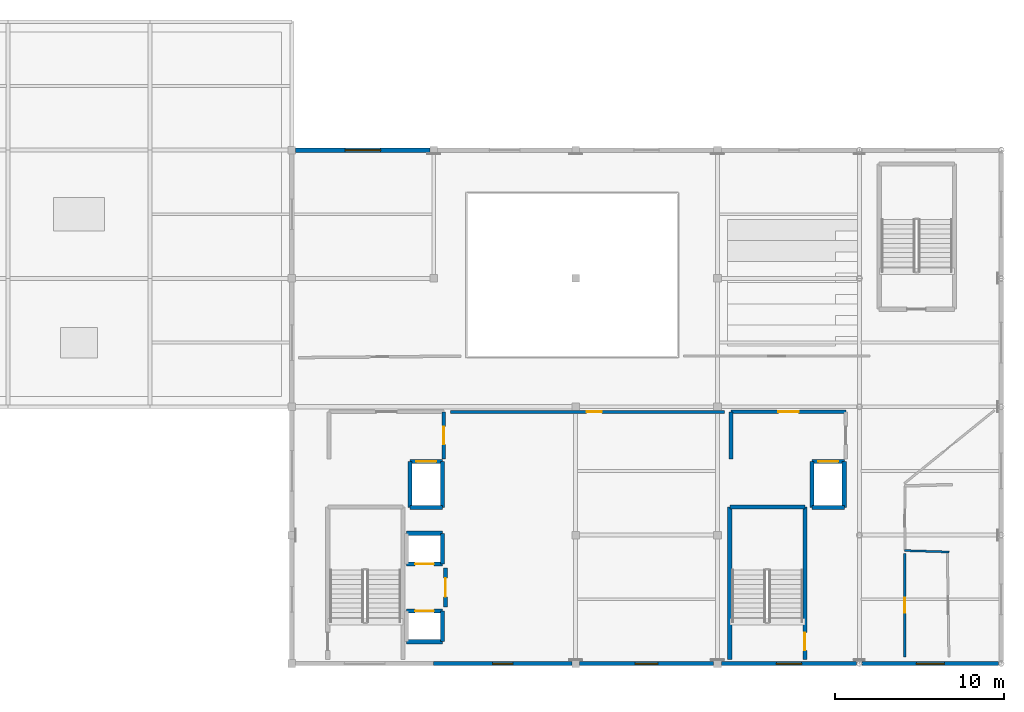
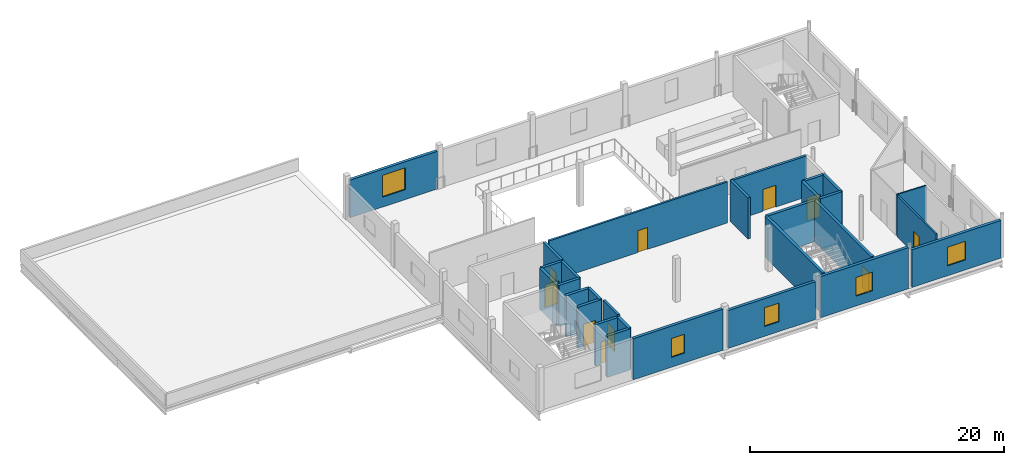
# One storey, part 6 of 13: 29 walls, 10 doors, 5 windows, 15 openings.
"""IFC4 building model written with IfcOpenShell, lengths in metres."""

from ifc_helpers import new_model, si_unit, direction, frame, frame_2d, origin, place, context, subcontext, project, spatial, rectangle, extrude, material, layer, layer_set, type_object, element, fill, save


model = new_model("IFC4")

# Units and contexts
model_context = context("Model", 3, precision=1e-05, world=origin(), true_north=direction((0.0, 1.0)))
body_context = subcontext(model_context, "Body", "Model", "MODEL_VIEW")
ifc_project = project(units=[si_unit("LENGTHUNIT", "METRE"), si_unit("AREAUNIT", "SQUARE_METRE"), si_unit("VOLUMEUNIT", "CUBIC_METRE"), si_unit("PLANEANGLEUNIT", "RADIAN"), si_unit("MASSUNIT", "GRAM", prefix="KILO")], contexts=[model_context])

# Site, building, storey
site_placement = place(None, origin())
site = spatial("IfcSite", under=ifc_project, at=site_placement, CompositionType="ELEMENT")
building_placement = place(site_placement, origin())
building = spatial("IfcBuilding", under=site, at=building_placement, Name="Zuvorla Pavilion Media Centre", CompositionType="ELEMENT")
storey_placement = place(building_placement, frame((0.0, 0.0, 22.199951171875)))
storey = spatial("IfcBuildingStorey", under=building, at=storey_placement, Name="L05", CompositionType="ELEMENT", Elevation=22.199951171875)

# Wall, opening, door
ifc_material_1 = material(Name="Acoustic masonry blockwork C32/40", Category="masonry")
ifc_layer_1 = layer(ifc_material_1, 0.219970703125)
ifc_layer_set_1 = layer_set([ifc_layer_1], Name="Acoustic masonry blockwork C32/40")
wall_type_1 = type_object("IfcWallType", Name="WL-CMP-220", PredefinedType="SOLIDWALL", material=ifc_layer_set_1)
wall_1_placement = place(storey_placement, frame((75.800048828125, 18.10009765625, 0.0), z_axis=(0.0, 0.0, 1.0), x_axis=(0.0, 1.0, 0.0)))
wall_1 = element("IfcWall", 1, at=wall_1_placement, inside=storey, type_object=wall_type_1, Name="L05 solid wall IW22 52", PredefinedType="SOLIDWALL", context=body_context, shape_type="SweptSolid", body=[
    extrude(rectangle(XDim=2.7998046875, YDim=0.219970703125, at=frame_2d((1.39990234375, 0.0))), origin(), (0.0, 0.0, 1.0), 3.949951171875),
])
opening_1_placement = place(wall_1_placement, frame((0.875, 0.0, 0.0)))
opening_1 = element("IfcOpeningElement", 2, at=opening_1_placement, cuts=wall_1, Name="Opening FD04", PredefinedType="OPENING", context=body_context, shape_type="SweptSolid", body=[
    extrude(rectangle(XDim=1.050048828125, YDim=2.10009765625, at=frame_2d((0.52490234375, 1.050048828125))), frame((0.0, 0.119873046875, 0.0), z_axis=(0.0, -1.0, 0.0), x_axis=(1.0, 0.0, 0.0)), (0.0, 0.0, 1.0), 0.239990234375),
])
ifc_material_2 = material(Name="Acoustic timber fire door leaf in steel frame", Category="steel")
door_type_1 = type_object("IfcDoorType", Name="DR-INT-FD04", OperationType="NOTDEFINED", PredefinedType="DOOR", material=ifc_material_2)
door_1_placement = place(opening_1_placement, origin())
door_1 = element("IfcDoor", 3, at=door_1_placement, inside=storey, type_object=door_type_1, Name="Firefighting lobby 1 access door FD04 27", OperationType="SINGLE_SWING_LEFT", OverallHeight=2.10009765625, OverallWidth=1.050048828125, PredefinedType="DOOR", context=body_context, shape_type="SweptSolid", body=[
    extrude(rectangle(XDim=1.050048828125, YDim=2.10009765625, at=frame_2d((0.52490234375, 1.050048828125))), frame((0.0, 0.02490234375, 0.0), z_axis=(0.0, -1.0, 0.0), x_axis=(1.0, 0.0, 0.0)), (0.0, 0.0, 1.0), 0.050048828125),
])
fill(opening_1, door_1)

wall_2_placement = place(storey_placement, frame((75.89990234375, 9.35009765625, 0.0), z_axis=(0.0, 0.0, 1.0), x_axis=(0.0, 1.0, 0.0)))
wall_2 = element("IfcWall", 4, at=wall_2_placement, inside=storey, type_object=wall_type_1, Name="L05 solid wall IW22 53", PredefinedType="SOLIDWALL", context=body_context, shape_type="SweptSolid", body=[
    extrude(rectangle(XDim=2.2998046875, YDim=0.219970703125, at=frame_2d((1.14990234375, 0.0))), origin(), (0.0, 0.0, 1.0), 3.949951171875),
])
opening_2_placement = place(wall_2_placement, frame((0.60009765625, 0.0, 0.0)))
opening_2 = element("IfcOpeningElement", 5, at=opening_2_placement, cuts=wall_2, Name="Opening FD05", PredefinedType="OPENING", context=body_context, shape_type="SweptSolid", body=[
    extrude(rectangle(XDim=1.10009765625, YDim=2.10009765625, at=frame_2d((0.550048828125, 1.050048828125))), frame((0.0, 0.119873046875, 0.0), z_axis=(0.0, -1.0, 0.0), x_axis=(1.0, 0.0, 0.0)), (0.0, 0.0, 1.0), 0.239990234375),
])
door_type_2 = type_object("IfcDoorType", Name="DR-INT-FD05", OperationType="NOTDEFINED", PredefinedType="DOOR", material=ifc_material_2)
door_2_placement = place(opening_2_placement, origin())
door_2 = element("IfcDoor", 6, at=door_2_placement, inside=storey, type_object=door_type_2, Name="Lift lobby 1 door FD05 28", OperationType="SINGLE_SWING_RIGHT", OverallHeight=2.10009765625, OverallWidth=1.10009765625, PredefinedType="DOOR", context=body_context, shape_type="SweptSolid", body=[
    extrude(rectangle(XDim=1.10009765625, YDim=2.10009765625, at=frame_2d((0.550048828125, 1.050048828125))), frame((0.0, 0.02490234375, 0.0), z_axis=(0.0, -1.0, 0.0), x_axis=(1.0, 0.0, 0.0)), (0.0, 0.0, 1.0), 0.050048828125),
])
fill(opening_2, door_2)

wall_3_placement = place(storey_placement, frame((92.800048828125, 20.89990234375, 0.0), z_axis=(0.0, 0.0, 1.0), x_axis=(1.0, 0.0, 0.0)))
wall_3 = element("IfcWall", 7, at=wall_3_placement, inside=storey, type_object=wall_type_1, Name="L05 solid wall IW22 196", PredefinedType="SOLIDWALL", context=body_context, shape_type="SweptSolid", body=[
    extrude(rectangle(XDim=6.800048828125, YDim=0.219970703125, at=frame_2d((3.39990234375, 0.0))), origin(), (0.0, 0.0, 1.0), 3.949951171875),
])
opening_3_placement = place(wall_3_placement, frame((2.800048828125, 0.0, 0.0)))
opening_3 = element("IfcOpeningElement", 8, at=opening_3_placement, cuts=wall_3, Name="Opening FD06", PredefinedType="OPENING", context=body_context, shape_type="SweptSolid", body=[
    extrude(rectangle(XDim=1.199951171875, YDim=2.10009765625, at=frame_2d((0.60009765625, 1.050048828125))), frame((0.0, 0.119873046875, 0.0), z_axis=(0.0, -1.0, 0.0), x_axis=(1.0, 0.0, 0.0)), (0.0, 0.0, 1.0), 0.239990234375),
])
door_type_3 = type_object("IfcDoorType", Name="DR-INT-FD06", OperationType="NOTDEFINED", PredefinedType="DOOR", material=ifc_material_2)
door_3_placement = place(opening_3_placement, origin())
door_3 = element("IfcDoor", 9, at=door_3_placement, inside=storey, type_object=door_type_3, Name="Firefighting lobby 2 door FD06 76", OperationType="SINGLE_SWING_LEFT", OverallHeight=2.10009765625, OverallWidth=1.199951171875, PredefinedType="DOOR", context=body_context, shape_type="SweptSolid", body=[
    extrude(rectangle(XDim=1.199951171875, YDim=2.10009765625, at=frame_2d((0.60009765625, 1.050048828125))), frame((0.0, 0.02490234375, 0.0), z_axis=(0.0, -1.0, 0.0), x_axis=(1.0, 0.0, 0.0)), (0.0, 0.0, 1.0), 0.050048828125),
])
fill(opening_3, door_3)

# Walls
wall_4_placement = place(storey_placement, frame((92.800048828125, 18.10009765625, 0.0), z_axis=(0.0, 0.0, 1.0), x_axis=(0.0, 1.0, 0.0)))
element("IfcWall", 10, at=wall_4_placement, inside=storey, type_object=wall_type_1, Name="L05 solid wall IW22 197", PredefinedType="SOLIDWALL", context=body_context, shape_type="SweptSolid", body=[
    extrude(rectangle(XDim=2.7998046875, YDim=0.219970703125, at=frame_2d((1.39990234375, 0.0))), origin(), (0.0, 0.0, 1.0), 3.949951171875),
])
ifc_material_3 = material(Name="Concrete C40/50", Category="concrete")
ifc_layer_2 = layer(ifc_material_3, 0.25)
ifc_layer_set_2 = layer_set([ifc_layer_2], Name="Concrete C40/50")
wall_type_2 = type_object("IfcWallType", Name="WL-COR-250", PredefinedType="SHEAR", material=ifc_layer_set_2)
wall_5_placement = place(storey_placement, frame((73.590087890625, 7.2900390625, 0.0), z_axis=(0.0, 0.0, 1.0), x_axis=(1.0, 0.0, 0.0)))
element("IfcWall", 11, at=wall_5_placement, inside=storey, type_object=wall_type_2, Name="L05 shear wall CW25 85", PredefinedType="SHEAR", context=body_context, shape_type="SweptSolid", body=[
    extrude(rectangle(XDim=2.119873046875, YDim=0.25, at=frame_2d((1.06005859375, 0.0))), origin(), (0.0, 0.0, 1.0), 3.9599609375),
])

# Wall, opening, door
wall_6_placement = place(storey_placement, frame((73.590087890625, 9.110107421875, 0.0), z_axis=(0.0, 0.0, 1.0), x_axis=(1.0, 0.0, 0.0)))
wall_6 = element("IfcWall", 12, at=wall_6_placement, inside=storey, type_object=wall_type_2, Name="L05 shear wall CW25 86", PredefinedType="SHEAR", context=body_context, shape_type="SweptSolid", body=[
    extrude(rectangle(XDim=2.119873046875, YDim=0.25, at=frame_2d((1.06005859375, 0.0))), origin(), (0.0, 0.0, 1.0), 3.9599609375),
])
opening_4_placement = place(wall_6_placement, frame((0.510009765625, 0.0, 0.0)))
opening_4 = element("IfcOpeningElement", 13, at=opening_4_placement, cuts=wall_6, Name="Opening LD01", PredefinedType="OPENING", context=body_context, shape_type="SweptSolid", body=[
    extrude(rectangle(XDim=1.10009765625, YDim=2.14990234375, at=frame_2d((0.550048828125, 1.074951171875))), frame((0.0, 0.135009765625, 0.0), z_axis=(0.0, -1.0, 0.0), x_axis=(1.0, 0.0, 0.0)), (0.0, 0.0, 1.0), 0.27001953125),
])
ifc_material_4 = material(Name="Brushed stainless steel sliding lift landing door", Category="steel")
door_type_4 = type_object("IfcDoorType", Name="DR-LFT-LD01", OperationType="SLIDING_TO_LEFT", PredefinedType="DOOR", material=ifc_material_4)
door_4_placement = place(opening_4_placement, origin())
door_4 = element("IfcDoor", 14, at=door_4_placement, inside=storey, type_object=door_type_4, Name="Lift LF-01 landing door LD01 39", OperationType="SLIDING_TO_LEFT", OverallHeight=2.14990234375, OverallWidth=1.10009765625, PredefinedType="DOOR", context=body_context, shape_type="SweptSolid", body=[
    extrude(rectangle(XDim=1.10009765625, YDim=2.14990234375, at=frame_2d((0.550048828125, 1.074951171875))), frame((0.0, 0.02490234375, 0.0), z_axis=(0.0, -1.0, 0.0), x_axis=(1.0, 0.0, 0.0)), (0.0, 0.0, 1.0), 0.050048828125),
])
fill(opening_4, door_4)

# Wall
wall_7_placement = place(storey_placement, frame((75.7099609375, 7.2900390625, 0.0), z_axis=(0.0, 0.0, 1.0), x_axis=(0.0, 1.0, 0.0)))
element("IfcWall", 15, at=wall_7_placement, inside=storey, type_object=wall_type_2, Name="L05 shear wall CW25 88", PredefinedType="SHEAR", context=body_context, shape_type="SweptSolid", body=[
    extrude(rectangle(XDim=1.820068359375, YDim=0.25, at=frame_2d((0.91015625, 0.0))), origin(), (0.0, 0.0, 1.0), 3.9599609375),
])

# Wall, opening, door
wall_8_placement = place(storey_placement, frame((73.590087890625, 11.889892578125, 0.0), z_axis=(0.0, 0.0, 1.0), x_axis=(1.0, 0.0, 0.0)))
wall_8 = element("IfcWall", 16, at=wall_8_placement, inside=storey, type_object=wall_type_2, Name="L05 shear wall CW25 117", PredefinedType="SHEAR", context=body_context, shape_type="SweptSolid", body=[
    extrude(rectangle(XDim=2.119873046875, YDim=0.25, at=frame_2d((1.06005859375, 0.0))), origin(), (0.0, 0.0, 1.0), 3.9599609375),
])
opening_5_placement = place(wall_8_placement, frame((0.510009765625, 0.0, 0.0)))
opening_5 = element("IfcOpeningElement", 17, at=opening_5_placement, cuts=wall_8, Name="Opening LD01", PredefinedType="OPENING", context=body_context, shape_type="SweptSolid", body=[
    extrude(rectangle(XDim=1.10009765625, YDim=2.14990234375, at=frame_2d((0.550048828125, 1.074951171875))), frame((0.0, 0.135009765625, 0.0), z_axis=(0.0, -1.0, 0.0), x_axis=(1.0, 0.0, 0.0)), (0.0, 0.0, 1.0), 0.27001953125),
])
door_5_placement = place(opening_5_placement, origin())
door_5 = element("IfcDoor", 18, at=door_5_placement, inside=storey, type_object=door_type_4, Name="Lift LF-02 landing door LD01 47", OperationType="SLIDING_TO_LEFT", OverallHeight=2.14990234375, OverallWidth=1.10009765625, PredefinedType="DOOR", context=body_context, shape_type="SweptSolid", body=[
    extrude(rectangle(XDim=1.10009765625, YDim=2.14990234375, at=frame_2d((0.550048828125, 1.074951171875))), frame((0.0, 0.02490234375, 0.0), z_axis=(0.0, -1.0, 0.0), x_axis=(1.0, 0.0, 0.0)), (0.0, 0.0, 1.0), 0.050048828125),
])
fill(opening_5, door_5)

# Walls
wall_9_placement = place(storey_placement, frame((73.590087890625, 13.7099609375, 0.0), z_axis=(0.0, 0.0, 1.0), x_axis=(1.0, 0.0, 0.0)))
element("IfcWall", 19, at=wall_9_placement, inside=storey, type_object=wall_type_2, Name="L05 shear wall CW25 118", PredefinedType="SHEAR", context=body_context, shape_type="SweptSolid", body=[
    extrude(rectangle(XDim=2.119873046875, YDim=0.25, at=frame_2d((1.06005859375, 0.0))), origin(), (0.0, 0.0, 1.0), 3.9599609375),
])
wall_10_placement = place(storey_placement, frame((75.7099609375, 11.889892578125, 0.0), z_axis=(0.0, 0.0, 1.0), x_axis=(0.0, 1.0, 0.0)))
element("IfcWall", 20, at=wall_10_placement, inside=storey, type_object=wall_type_2, Name="L05 shear wall CW25 120", PredefinedType="SHEAR", context=body_context, shape_type="SweptSolid", body=[
    extrude(rectangle(XDim=1.820068359375, YDim=0.25, at=frame_2d((0.91015625, 0.0))), origin(), (0.0, 0.0, 1.0), 3.9599609375),
])
wall_11_placement = place(storey_placement, frame((73.7900390625, 15.239990234375, 0.0), z_axis=(0.0, 0.0, 1.0), x_axis=(1.0, 0.0, 0.0)))
element("IfcWall", 21, at=wall_11_placement, inside=storey, type_object=wall_type_2, Name="L05 shear wall CW25 149", PredefinedType="SHEAR", context=body_context, shape_type="SweptSolid", body=[
    extrude(rectangle(XDim=1.919921875, YDim=0.25, at=frame_2d((0.9599609375, 0.0))), origin(), (0.0, 0.0, 1.0), 3.9599609375),
])

# Wall, opening, door
wall_12_placement = place(storey_placement, frame((73.7900390625, 17.9599609375, 0.0), z_axis=(0.0, 0.0, 1.0), x_axis=(1.0, 0.0, 0.0)))
wall_12 = element("IfcWall", 22, at=wall_12_placement, inside=storey, type_object=wall_type_2, Name="L05 shear wall CW25 150", PredefinedType="SHEAR", context=body_context, shape_type="SweptSolid", body=[
    extrude(rectangle(XDim=1.919921875, YDim=0.25, at=frame_2d((0.9599609375, 0.0))), origin(), (0.0, 0.0, 1.0), 3.9599609375),
])
opening_6_placement = place(wall_12_placement, frame((0.360107421875, 0.0, 0.0)))
opening_6 = element("IfcOpeningElement", 23, at=opening_6_placement, cuts=wall_12, Name="Opening LD02", PredefinedType="OPENING", context=body_context, shape_type="SweptSolid", body=[
    extrude(rectangle(XDim=1.199951171875, YDim=2.199951171875, at=frame_2d((0.60009765625, 1.10009765625))), frame((0.0, 0.135009765625, 0.0), z_axis=(0.0, -1.0, 0.0), x_axis=(1.0, 0.0, 0.0)), (0.0, 0.0, 1.0), 0.27001953125),
])
door_type_5 = type_object("IfcDoorType", Name="DR-LFT-LD02", OperationType="SLIDING_TO_LEFT", PredefinedType="DOOR", material=ifc_material_4)
door_6_placement = place(opening_6_placement, origin())
door_6 = element("IfcDoor", 24, at=door_6_placement, inside=storey, type_object=door_type_5, Name="Lift LF-03 landing door LD02 55", OperationType="SLIDING_TO_LEFT", OverallHeight=2.199951171875, OverallWidth=1.199951171875, PredefinedType="DOOR", context=body_context, shape_type="SweptSolid", body=[
    extrude(rectangle(XDim=1.199951171875, YDim=2.199951171875, at=frame_2d((0.60009765625, 1.10009765625))), frame((0.0, 0.02490234375, 0.0), z_axis=(0.0, -1.0, 0.0), x_axis=(1.0, 0.0, 0.0)), (0.0, 0.0, 1.0), 0.050048828125),
])
fill(opening_6, door_6)

# Walls
for number, where, z_axis, x_axis, name in (
    (25, (73.7900390625, 15.239990234375, 0.0), (0.0, 0.0, 1.0), (0.0, 1.0, 0.0), "L05 shear wall CW25 151"),
    (26, (75.7099609375, 15.239990234375, 0.0), (0.0, 0.0, 1.0), (0.0, 1.0, 0.0), "L05 shear wall CW25 152"),
):
    element("IfcWall", number, at=place(storey_placement, frame(where, z_axis=z_axis, x_axis=x_axis)), inside=storey, type_object=wall_type_2, Name=name, PredefinedType="SHEAR", context=body_context, shape_type="SweptSolid", body=[
        extrude(rectangle(XDim=2.719970703125, YDim=0.25, at=frame_2d((1.35986328125, 0.0))), origin(), (0.0, 0.0, 1.0), 3.9599609375),
    ])
wall_13_placement = place(storey_placement, frame((92.72509765625, 6.22509765625, 0.0), z_axis=(0.0, 0.0, 1.0), x_axis=(0.0, 1.0, 0.0)))
element("IfcWall", 27, at=wall_13_placement, inside=storey, type_object=wall_type_2, Name="L05 shear wall CW25 193", PredefinedType="SHEAR", context=body_context, shape_type="SweptSolid", body=[
    extrude(rectangle(XDim=9.0498046875, YDim=0.25, at=frame_2d((4.52490234375, 0.0))), origin(), (0.0, 0.0, 1.0), 3.9599609375),
])

# Wall, opening, door
wall_14_placement = place(storey_placement, frame((97.175048828125, 6.22509765625, 0.0), z_axis=(0.0, 0.0, 1.0), x_axis=(0.0, 1.0, 0.0)))
wall_14 = element("IfcWall", 28, at=wall_14_placement, inside=storey, type_object=wall_type_2, Name="L05 shear wall CW25 194", PredefinedType="SHEAR", context=body_context, shape_type="SweptSolid", body=[
    extrude(rectangle(XDim=9.0498046875, YDim=0.25, at=frame_2d((4.52490234375, 0.0))), origin(), (0.0, 0.0, 1.0), 3.9599609375),
])
opening_7_placement = place(wall_14_placement, frame((0.550048828125, 0.0, 0.0)))
opening_7 = element("IfcOpeningElement", 29, at=opening_7_placement, cuts=wall_14, Name="Opening FD04", PredefinedType="OPENING", context=body_context, shape_type="SweptSolid", body=[
    extrude(rectangle(XDim=1.050048828125, YDim=2.10009765625, at=frame_2d((0.52490234375, 1.050048828125))), frame((0.0, 0.135009765625, 0.0), z_axis=(0.0, -1.0, 0.0), x_axis=(1.0, 0.0, 0.0)), (0.0, 0.0, 1.0), 0.27001953125),
])
door_7_placement = place(opening_7_placement, frame((1.050048828125, 0.0, 0.0), z_axis=(0.0, 0.0, 1.0), x_axis=(-1.0, 0.0, 0.0)))
door_7 = element("IfcDoor", 30, at=door_7_placement, inside=storey, type_object=door_type_1, Name="Stair ST-02 fire door FD04 75", OperationType="SINGLE_SWING_LEFT", OverallHeight=2.10009765625, OverallWidth=1.050048828125, PredefinedType="DOOR", context=body_context, shape_type="SweptSolid", body=[
    extrude(rectangle(XDim=1.050048828125, YDim=2.10009765625, at=frame_2d((0.52490234375, 1.050048828125))), frame((0.0, 0.02490234375, 0.0), z_axis=(0.0, -1.0, 0.0), x_axis=(1.0, 0.0, 0.0)), (0.0, 0.0, 1.0), 0.050048828125),
])
fill(opening_7, door_7)

# Walls
wall_15_placement = place(storey_placement, frame((92.72509765625, 15.27490234375, 0.0), z_axis=(0.0, 0.0, 1.0), x_axis=(1.0, 0.0, 0.0)))
element("IfcWall", 31, at=wall_15_placement, inside=storey, type_object=wall_type_2, Name="L05 shear wall CW25 195", PredefinedType="SHEAR", context=body_context, shape_type="SweptSolid", body=[
    extrude(rectangle(XDim=4.449951171875, YDim=0.25, at=frame_2d((2.22509765625, 0.0))), origin(), (0.0, 0.0, 1.0), 3.9599609375),
])
wall_16_placement = place(storey_placement, frame((97.590087890625, 15.239990234375, 0.0), z_axis=(0.0, 0.0, 1.0), x_axis=(1.0, 0.0, 0.0)))
element("IfcWall", 32, at=wall_16_placement, inside=storey, type_object=wall_type_2, Name="L05 shear wall CW25 229", PredefinedType="SHEAR", context=body_context, shape_type="SweptSolid", body=[
    extrude(rectangle(XDim=1.919921875, YDim=0.25, at=frame_2d((0.9599609375, 0.0))), origin(), (0.0, 0.0, 1.0), 3.9599609375),
])

# Wall, opening, door
wall_17_placement = place(storey_placement, frame((97.590087890625, 17.9599609375, 0.0), z_axis=(0.0, 0.0, 1.0), x_axis=(1.0, 0.0, 0.0)))
wall_17 = element("IfcWall", 33, at=wall_17_placement, inside=storey, type_object=wall_type_2, Name="L05 shear wall CW25 230", PredefinedType="SHEAR", context=body_context, shape_type="SweptSolid", body=[
    extrude(rectangle(XDim=1.919921875, YDim=0.25, at=frame_2d((0.9599609375, 0.0))), origin(), (0.0, 0.0, 1.0), 3.9599609375),
])
opening_8_placement = place(wall_17_placement, frame((0.360107421875, 0.0, 0.0)))
opening_8 = element("IfcOpeningElement", 34, at=opening_8_placement, cuts=wall_17, Name="Opening LD02", PredefinedType="OPENING", context=body_context, shape_type="SweptSolid", body=[
    extrude(rectangle(XDim=1.199951171875, YDim=2.199951171875, at=frame_2d((0.60009765625, 1.10009765625))), frame((0.0, 0.135009765625, 0.0), z_axis=(0.0, -1.0, 0.0), x_axis=(1.0, 0.0, 0.0)), (0.0, 0.0, 1.0), 0.27001953125),
])
door_8_placement = place(opening_8_placement, origin())
door_8 = element("IfcDoor", 35, at=door_8_placement, inside=storey, type_object=door_type_5, Name="Lift LF-04 landing door LD02 87", OperationType="SLIDING_TO_LEFT", OverallHeight=2.199951171875, OverallWidth=1.199951171875, PredefinedType="DOOR", context=body_context, shape_type="SweptSolid", body=[
    extrude(rectangle(XDim=1.199951171875, YDim=2.199951171875, at=frame_2d((0.60009765625, 1.10009765625))), frame((0.0, 0.02490234375, 0.0), z_axis=(0.0, -1.0, 0.0), x_axis=(1.0, 0.0, 0.0)), (0.0, 0.0, 1.0), 0.050048828125),
])
fill(opening_8, door_8)

# Walls
for number, where, z_axis, x_axis, name in (
    (36, (97.590087890625, 15.239990234375, 0.0), (0.0, 0.0, 1.0), (0.0, 1.0, 0.0), "L05 shear wall CW25 231"),
    (37, (99.510009765625, 15.239990234375, 0.0), (0.0, 0.0, 1.0), (0.0, 1.0, 0.0), "L05 shear wall CW25 232"),
):
    element("IfcWall", number, at=place(storey_placement, frame(where, z_axis=z_axis, x_axis=x_axis)), inside=storey, type_object=wall_type_2, Name=name, PredefinedType="SHEAR", context=body_context, shape_type="SweptSolid", body=[
        extrude(rectangle(XDim=2.719970703125, YDim=0.25, at=frame_2d((1.35986328125, 0.0))), origin(), (0.0, 0.0, 1.0), 3.9599609375),
    ])

# Wall, opening, window
ifc_material_5 = material(Name="White rendered concrete C32/40", Category="concrete")
ifc_layer_3 = layer(ifc_material_5, 0.260009765625)
ifc_layer_set_3 = layer_set([ifc_layer_3], Name="White rendered concrete C32/40")
wall_type_3 = type_object("IfcWallType", Name="WL-EXT-260", PredefinedType="SOLIDWALL", material=ifc_layer_set_3)
wall_18_placement = place(storey_placement, frame((75.199951171875, 6.0, 0.0), z_axis=(0.0, 0.0, 1.0), x_axis=(1.0, 0.0, 0.0)))
wall_18 = element("IfcWall", 38, at=wall_18_placement, inside=storey, type_object=wall_type_3, Name="L05 exterior solid wall EW04 300", PredefinedType="SOLIDWALL", context=body_context, shape_type="SweptSolid", body=[
    extrude(rectangle(XDim=8.175048828125, YDim=0.260009765625, at=frame_2d((4.08740234375, 0.0))), origin(), (0.0, 0.0, 1.0), 3.949951171875),
])
opening_9_placement = place(wall_18_placement, frame((3.487548828125, 0.0, 0.949951171875)))
opening_9 = element("IfcOpeningElement", 39, at=opening_9_placement, cuts=wall_18, Name="Opening WN08", PredefinedType="OPENING", context=body_context, shape_type="SweptSolid", body=[
    extrude(rectangle(XDim=1.199951171875, YDim=1.800048828125, at=frame_2d((0.60009765625, 0.89990234375))), frame((0.0, 0.139892578125, 0.0), z_axis=(0.0, -1.0, 0.0), x_axis=(1.0, 0.0, 0.0)), (0.0, 0.0, 1.0), 0.280029296875),
])
ifc_material_6 = material(Name="Anodised aluminium frame with solar double glazing", Category="aluminium")
window_type_1 = type_object("IfcWindowType", Name="WIN-WN08", PartitioningType="SINGLE_PANEL", PredefinedType="WINDOW", material=ifc_material_6)
window_1_placement = place(opening_9_placement, origin())
window_1 = element("IfcWindow", 40, at=window_1_placement, inside=storey, type_object=window_type_1, Name="L05 window WN08 120", OverallHeight=1.800048828125, OverallWidth=1.199951171875, PartitioningType="SINGLE_PANEL", PredefinedType="WINDOW", context=body_context, shape_type="SweptSolid", body=[
    extrude(rectangle(XDim=1.199951171875, YDim=1.800048828125, at=frame_2d((0.60009765625, 0.89990234375))), frame((0.0, 0.030029296875, 0.0), z_axis=(0.0, -1.0, 0.0), x_axis=(1.0, 0.0, 0.0)), (0.0, 0.0, 1.0), 0.06005859375),
])
fill(opening_9, window_1)

wall_19_placement = place(storey_placement, frame((83.824951171875, 6.0, 0.0), z_axis=(0.0, 0.0, 1.0), x_axis=(1.0, 0.0, 0.0)))
wall_19 = element("IfcWall", 41, at=wall_19_placement, inside=storey, type_object=wall_type_3, Name="L05 exterior solid wall EW04 301", PredefinedType="SOLIDWALL", context=body_context, shape_type="SweptSolid", body=[
    extrude(rectangle(XDim=7.949951171875, YDim=0.260009765625, at=frame_2d((3.97509765625, 0.0))), origin(), (0.0, 0.0, 1.0), 3.626953125),
])
opening_10_placement = place(wall_19_placement, frame((3.300048828125, 0.0, 0.949951171875)))
opening_10 = element("IfcOpeningElement", 42, at=opening_10_placement, cuts=wall_19, Name="Opening WN09", PredefinedType="OPENING", context=body_context, shape_type="SweptSolid", body=[
    extrude(rectangle(XDim=1.35009765625, YDim=1.800048828125, at=frame_2d((0.675048828125, 0.89990234375))), frame((0.0, 0.139892578125, 0.0), z_axis=(0.0, -1.0, 0.0), x_axis=(1.0, 0.0, 0.0)), (0.0, 0.0, 1.0), 0.280029296875),
])
window_type_2 = type_object("IfcWindowType", Name="WIN-WN09", PartitioningType="SINGLE_PANEL", PredefinedType="WINDOW", material=ifc_material_6)
window_2_placement = place(opening_10_placement, origin())
window_2 = element("IfcWindow", 43, at=window_2_placement, inside=storey, type_object=window_type_2, Name="L05 window WN09 121", OverallHeight=1.800048828125, OverallWidth=1.35009765625, PartitioningType="SINGLE_PANEL", PredefinedType="WINDOW", context=body_context, shape_type="SweptSolid", body=[
    extrude(rectangle(XDim=1.35009765625, YDim=1.800048828125, at=frame_2d((0.675048828125, 0.89990234375))), frame((0.0, 0.030029296875, 0.0), z_axis=(0.0, -1.0, 0.0), x_axis=(1.0, 0.0, 0.0)), (0.0, 0.0, 1.0), 0.06005859375),
])
fill(opening_10, window_2)

wall_20_placement = place(storey_placement, frame((92.22509765625, 6.0, 0.0), z_axis=(0.0, 0.0, 1.0), x_axis=(1.0, 0.0, 0.0)))
wall_20 = element("IfcWall", 44, at=wall_20_placement, inside=storey, type_object=wall_type_3, Name="L05 exterior solid wall EW04 302", PredefinedType="SOLIDWALL", context=body_context, shape_type="SweptSolid", body=[
    extrude(rectangle(XDim=8.012939453125, YDim=0.260009765625, at=frame_2d((4.00634765625, 0.0))), origin(), (0.0, 0.0, 1.0), 3.949951171875),
])
opening_11_placement = place(wall_20_placement, frame((3.256591796875, 0.0, 0.949951171875)))
opening_11 = element("IfcOpeningElement", 45, at=opening_11_placement, cuts=wall_20, Name="Opening WN10", PredefinedType="OPENING", context=body_context, shape_type="SweptSolid", body=[
    extrude(rectangle(XDim=1.5, YDim=1.800048828125, at=frame_2d((0.75, 0.89990234375))), frame((0.0, 0.139892578125, 0.0), z_axis=(0.0, -1.0, 0.0), x_axis=(1.0, 0.0, 0.0)), (0.0, 0.0, 1.0), 0.280029296875),
])
window_type_3 = type_object("IfcWindowType", Name="WIN-WN10", PartitioningType="SINGLE_PANEL", PredefinedType="WINDOW", material=ifc_material_6)
window_3_placement = place(opening_11_placement, origin())
window_3 = element("IfcWindow", 46, at=window_3_placement, inside=storey, type_object=window_type_3, Name="L05 window WN10 122", OverallHeight=1.800048828125, OverallWidth=1.5, PartitioningType="SINGLE_PANEL", PredefinedType="WINDOW", context=body_context, shape_type="SweptSolid", body=[
    extrude(rectangle(XDim=1.5, YDim=1.800048828125, at=frame_2d((0.75, 0.89990234375))), frame((0.0, 0.030029296875, 0.0), z_axis=(0.0, -1.0, 0.0), x_axis=(1.0, 0.0, 0.0)), (0.0, 0.0, 1.0), 0.06005859375),
])
fill(opening_11, window_3)

wall_21_placement = place(storey_placement, frame((100.56201171875, 6.0, 0.0), z_axis=(0.0, 0.0, 1.0), x_axis=(1.0, 0.0, 0.0)))
wall_21 = element("IfcWall", 47, at=wall_21_placement, inside=storey, type_object=wall_type_3, Name="L05 exterior solid wall EW04 303", PredefinedType="SOLIDWALL", context=body_context, shape_type="SweptSolid", body=[
    extrude(rectangle(XDim=8.075927734375, YDim=0.260009765625, at=frame_2d((4.0380859375, 0.0))), origin(), (0.0, 0.0, 1.0), 3.626953125),
])
opening_12_placement = place(wall_21_placement, frame((3.212890625, 0.0, 0.949951171875)))
opening_12 = element("IfcOpeningElement", 48, at=opening_12_placement, cuts=wall_21, Name="Opening WN11", PredefinedType="OPENING", context=body_context, shape_type="SweptSolid", body=[
    extrude(rectangle(XDim=1.64990234375, YDim=1.800048828125, at=frame_2d((0.824951171875, 0.89990234375))), frame((0.0, 0.139892578125, 0.0), z_axis=(0.0, -1.0, 0.0), x_axis=(1.0, 0.0, 0.0)), (0.0, 0.0, 1.0), 0.280029296875),
])
window_type_4 = type_object("IfcWindowType", Name="WIN-WN11", PartitioningType="SINGLE_PANEL", PredefinedType="WINDOW", material=ifc_material_6)
window_4_placement = place(opening_12_placement, origin())
window_4 = element("IfcWindow", 49, at=window_4_placement, inside=storey, type_object=window_type_4, Name="L05 window WN11 123", OverallHeight=1.800048828125, OverallWidth=1.64990234375, PartitioningType="SINGLE_PANEL", PredefinedType="WINDOW", context=body_context, shape_type="SweptSolid", body=[
    extrude(rectangle(XDim=1.64990234375, YDim=1.800048828125, at=frame_2d((0.824951171875, 0.89990234375))), frame((0.0, 0.030029296875, 0.0), z_axis=(0.0, -1.0, 0.0), x_axis=(1.0, 0.0, 0.0)), (0.0, 0.0, 1.0), 0.06005859375),
])
fill(opening_12, window_4)

wall_22_placement = place(storey_placement, frame((74.97509765625, 36.39990234375, 0.0), z_axis=(0.0, 0.0, 1.0), x_axis=(-1.0, 0.0, 0.0)))
wall_22 = element("IfcWall", 50, at=wall_22_placement, inside=storey, type_object=wall_type_3, Name="L05 exterior solid wall EW04 312", PredefinedType="SOLIDWALL", context=body_context, shape_type="SweptSolid", body=[
    extrude(rectangle(XDim=7.9501953125, YDim=0.260009765625, at=frame_2d((3.97509765625, 0.0))), origin(), (0.0, 0.0, 1.0), 3.626953125),
])
opening_13_placement = place(wall_22_placement, frame((2.925048828125, 0.0, 0.949951171875)))
opening_13 = element("IfcOpeningElement", 51, at=opening_13_placement, cuts=wall_22, Name="Opening WN20", PredefinedType="OPENING", context=body_context, shape_type="SweptSolid", body=[
    extrude(rectangle(XDim=2.10009765625, YDim=2.10009765625, at=frame_2d((1.050048828125, 1.050048828125))), frame((0.0, 0.139892578125, 0.0), z_axis=(0.0, -1.0, 0.0), x_axis=(1.0, 0.0, 0.0)), (0.0, 0.0, 1.0), 0.280029296875),
])
window_type_5 = type_object("IfcWindowType", Name="WIN-WN20", PartitioningType="DOUBLE_PANEL_VERTICAL", PredefinedType="WINDOW", material=ifc_material_6)
window_5_placement = place(opening_13_placement, origin())
window_5 = element("IfcWindow", 52, at=window_5_placement, inside=storey, type_object=window_type_5, Name="L05 window WN20 132", OverallHeight=2.10009765625, OverallWidth=2.10009765625, PartitioningType="DOUBLE_PANEL_VERTICAL", PredefinedType="WINDOW", context=body_context, shape_type="SweptSolid", body=[
    extrude(rectangle(XDim=2.10009765625, YDim=2.10009765625, at=frame_2d((1.050048828125, 1.050048828125))), frame((0.0, 0.030029296875, 0.0), z_axis=(0.0, -1.0, 0.0), x_axis=(1.0, 0.0, 0.0)), (0.0, 0.0, 1.0), 0.06005859375),
])
fill(opening_13, window_5)

# Wall
ifc_material_7 = material(Name="Lightweight gypsum partition")
ifc_layer_4 = layer(ifc_material_7, 0.1201171875)
ifc_layer_set_4 = layer_set([ifc_layer_4], Name="Lightweight gypsum partition")
wall_type_4 = type_object("IfcWallType", Name="WL-PRT-120", PredefinedType="PARTITIONING", material=ifc_layer_set_4)
wall_23_placement = place(storey_placement, frame((105.719482421875, 12.6025390625, 0.0), z_axis=(0.0, 0.0, 1.0), x_axis=(-0.999482322346, 0.032172772933, 0.0)))
element("IfcWall", 53, at=wall_23_placement, inside=storey, type_object=wall_type_4, Name="L05 partition PT12 565", PredefinedType="PARTITIONING", context=body_context, shape_type="SweptSolid", body=[
    extrude(rectangle(XDim=2.640869140625, YDim=0.1201171875, at=frame_2d((1.3203125, 0.0))), origin(), (0.0, 0.0, 1.0), 3.949951171875),
])

# Wall, opening, door
ifc_material_8 = material(Name="Acoustic gypsum stud partition")
ifc_layer_5 = layer(ifc_material_8, 0.14990234375)
ifc_layer_set_5 = layer_set([ifc_layer_5], Name="Acoustic gypsum stud partition")
wall_type_5 = type_object("IfcWallType", Name="WL-PRT-150", PredefinedType="PARTITIONING", material=ifc_layer_set_5)
wall_24_placement = place(storey_placement, frame((103.090087890625, 6.39990234375, 0.0), z_axis=(0.0, 0.0, 1.0), x_axis=(0.000199784229, 0.999999980043, 0.0)))
wall_24 = element("IfcWall", 54, at=wall_24_placement, inside=storey, type_object=wall_type_5, Name="L05 partition PT15 560", PredefinedType="PARTITIONING", context=body_context, shape_type="SweptSolid", body=[
    extrude(rectangle(XDim=6.110107421875, YDim=0.14990234375, at=frame_2d((3.05517578125, 0.0))), origin(), (0.0, 0.0, 1.0), 3.949951171875),
])
opening_14_placement = place(wall_24_placement, frame((2.614990234375, 0.0, 0.0)))
opening_14 = element("IfcOpeningElement", 55, at=opening_14_placement, cuts=wall_24, Name="Opening ID01", PredefinedType="OPENING", context=body_context, shape_type="SweptSolid", body=[
    extrude(rectangle(XDim=0.8798828125, YDim=2.080078125, at=frame_2d((0.43994140625, 1.0400390625))), frame((0.0, 0.0849609375, 0.0), z_axis=(0.0, -1.0, 0.0), x_axis=(1.0, 0.0, 0.0)), (0.0, 0.0, 1.0), 0.169921875),
])
ifc_material_9 = material(Name="Hardwood acoustic studio door in anodised frame", Category="wood")
door_type_6 = type_object("IfcDoorType", Name="DR-UNR-ID01", OperationType="NOTDEFINED", PredefinedType="DOOR", material=ifc_material_9)
door_9_placement = place(opening_14_placement, origin())
door_9 = element("IfcDoor", 56, at=door_9_placement, inside=storey, type_object=door_type_6, Name="Interior door ID01 248", OperationType="SINGLE_SWING_LEFT", OverallHeight=2.080078125, OverallWidth=0.8798828125, PredefinedType="DOOR", context=body_context, shape_type="SweptSolid", body=[
    extrude(rectangle(XDim=0.8798828125, YDim=2.080078125, at=frame_2d((0.43994140625, 1.0400390625))), frame((0.0, 0.02490234375, 0.0), z_axis=(0.0, -1.0, 0.0), x_axis=(1.0, 0.0, 0.0)), (0.0, 0.0, 1.0), 0.050048828125),
])
fill(opening_14, door_9)

ifc_material_10 = material(Name="Double acoustic gypsum stud partition")
ifc_layer_6 = layer(ifc_material_10, 0.179931640625)
ifc_layer_set_6 = layer_set([ifc_layer_6], Name="Double acoustic gypsum stud partition")
wall_type_6 = type_object("IfcWallType", Name="WL-PRT-180", PredefinedType="PARTITIONING", material=ifc_layer_set_6)
wall_25_placement = place(storey_placement, frame((92.41943359375, 20.89990234375, 0.0), z_axis=(0.0, 0.0, 1.0), x_axis=(-1.0, 0.0, 0.0)))
wall_25 = element("IfcWall", 57, at=wall_25_placement, inside=storey, type_object=wall_type_6, Name="L05 partition PT18 564", PredefinedType="PARTITIONING", context=body_context, shape_type="SweptSolid", body=[
    extrude(rectangle(XDim=16.239013671875, YDim=0.179931640625, at=frame_2d((8.11962890625, 0.0))), origin(), (0.0, 0.0, 1.0), 3.949951171875),
])
opening_15_placement = place(wall_25_placement, frame((7.26953125, 0.0, 0.0)))
opening_15 = element("IfcOpeningElement", 58, at=opening_15_placement, cuts=wall_25, Name="Opening FD01", PredefinedType="OPENING", context=body_context, shape_type="SweptSolid", body=[
    extrude(rectangle(XDim=0.89990234375, YDim=2.10009765625, at=frame_2d((0.449951171875, 1.050048828125))), frame((0.0, 0.099853515625, 0.0), z_axis=(0.0, -1.0, 0.0), x_axis=(1.0, 0.0, 0.0)), (0.0, 0.0, 1.0), 0.199951171875),
])
door_type_7 = type_object("IfcDoorType", Name="DR-INT-FD01", OperationType="NOTDEFINED", PredefinedType="DOOR", material=ifc_material_2)
door_10_placement = place(opening_15_placement, origin())
door_10 = element("IfcDoor", 59, at=door_10_placement, inside=storey, type_object=door_type_7, Name="Interior door FD01 252", OperationType="SINGLE_SWING_LEFT", OverallHeight=2.10009765625, OverallWidth=0.89990234375, PredefinedType="DOOR", context=body_context, shape_type="SweptSolid", body=[
    extrude(rectangle(XDim=0.89990234375, YDim=2.10009765625, at=frame_2d((0.449951171875, 1.050048828125))), frame((0.0, 0.02490234375, 0.0), z_axis=(0.0, -1.0, 0.0), x_axis=(1.0, 0.0, 0.0)), (0.0, 0.0, 1.0), 0.050048828125),
])
fill(opening_15, door_10)

save(model, "model.ifc")
